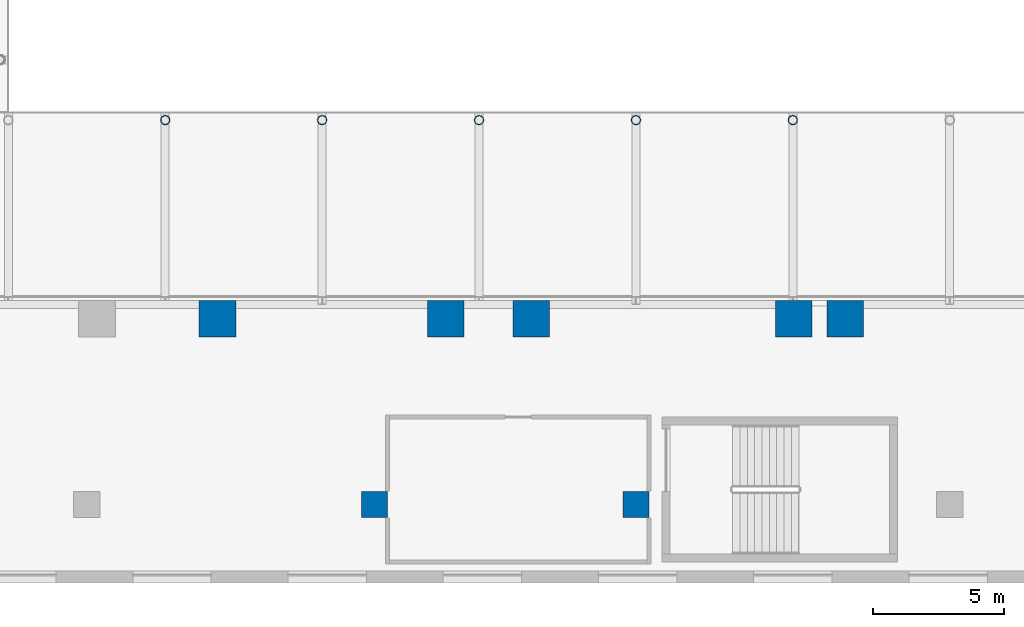
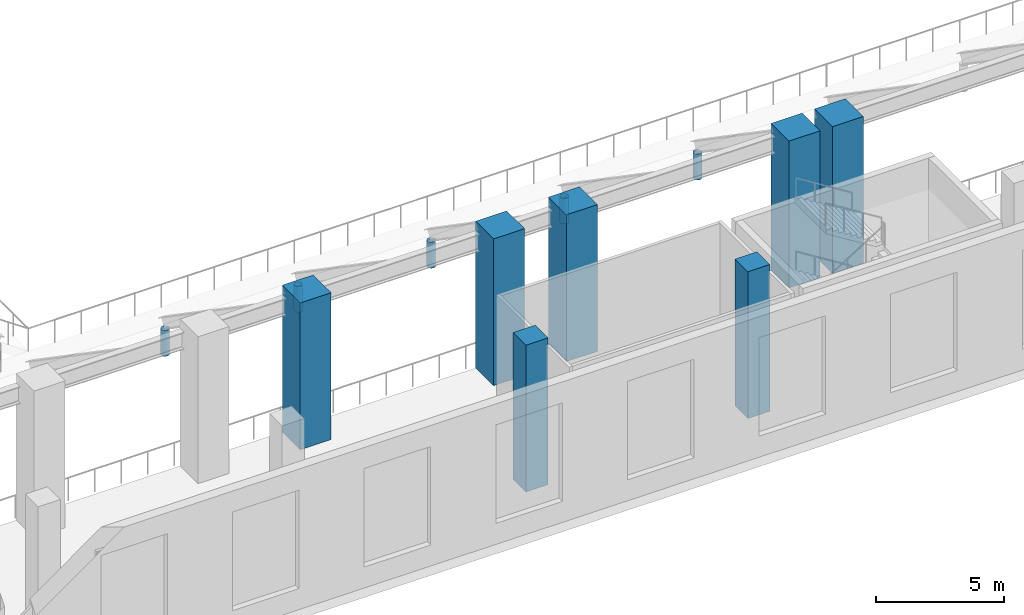
# One storey, part 2 of 41: 12 columns.
"""IFC4 building model written with IfcOpenShell, lengths in metres."""

from ifc_helpers import new_model, si_unit, direction, frame, origin, origin_2d, place, context, subcontext, project, spatial, rectangle, hollow_circle, extrude, material, material_profile, profile_set, type_object, element, save


model = new_model("IFC4")

# Units and contexts
model_context = context("Model", 3, precision=1e-05, world=origin(), true_north=direction((0.0, 1.0)))
body_context = subcontext(model_context, "Body", "Model", "MODEL_VIEW")
ifc_project = project(units=[si_unit("LENGTHUNIT", "METRE"), si_unit("AREAUNIT", "SQUARE_METRE"), si_unit("VOLUMEUNIT", "CUBIC_METRE"), si_unit("PLANEANGLEUNIT", "RADIAN"), si_unit("MASSUNIT", "GRAM", prefix="KILO")], contexts=[model_context])

# Site, building, storey
site_placement = place(None, origin())
site = spatial("IfcSite", under=ifc_project, at=site_placement, CompositionType="ELEMENT")
building_placement = place(site_placement, origin())
building = spatial("IfcBuilding", under=site, at=building_placement, Name="Wharfspan Tower", CompositionType="ELEMENT")
storey_placement = place(building_placement, frame((0.0, 0.0, 8.0)))
storey = spatial("IfcBuildingStorey", under=building, at=storey_placement, Name="L01", CompositionType="ELEMENT", Elevation=8.0)

# Columns
ifc_material_1 = material(Name="Concrete C60/75", Category="concrete")
ifc_material_profile_1 = material_profile(ifc_material_1, rectangle(XDim=1.0, YDim=1.0, at=origin_2d()))
ifc_profile_set_1 = profile_set([ifc_material_profile_1], Name="Concrete C60/75")
column_type_1 = type_object("IfcColumnType", Name="Concrete column 1000 square", PredefinedType="COLUMN", material=ifc_profile_set_1)
for number, where, z_axis, x_axis, name in (
    (1, (40.0, -29.0, 0.0), (0.0, 0.0, 1.0), (1.0, 0.0, 0.0), "Column D.23"),
    (2, (30.0, -29.0, 0.0), (0.0, 0.0, 1.0), (1.0, 0.0, 0.0), "Column D.29"),
):
    element("IfcColumn", number, at=place(storey_placement, frame(where, z_axis=z_axis, x_axis=x_axis)), inside=storey, type_object=column_type_1, Name=name, PredefinedType="COLUMN", context=body_context, shape_type="SweptSolid", body=[
        extrude(rectangle(XDim=1.0, YDim=1.0, at=origin_2d()), origin(), (0.0, 0.0, 1.0), 7.0),
    ])
ifc_material_profile_2 = material_profile(ifc_material_1, rectangle(XDim=1.399902, YDim=1.399902, at=origin_2d()))
ifc_profile_set_2 = profile_set([ifc_material_profile_2], Name="Concrete C60/75")
column_type_2 = type_object("IfcColumnType", Name="Concrete column 1400 square", PredefinedType="COLUMN", material=ifc_profile_set_2)
for number, where, z_axis, x_axis, name in (
    (3, (24.0, -21.899902, 0.0), (0.0, 0.0, 1.0), (1.0, 0.0, 0.0), "Column RS.3"),
    (4, (32.724121, -21.899902, 0.0), (0.0, 0.0, 1.0), (1.0, 0.0, 0.0), "Column RS.4"),
    (5, (36.0, -21.899902, 0.0), (0.0, 0.0, 1.0), (1.0, 0.0, 0.0), "Column RS.5"),
    (6, (46.041992, -21.899902, 0.0), (0.0, 0.0, 1.0), (1.0, 0.0, 0.0), "Column RS.6"),
    (7, (48.0, -21.899902, 0.0), (0.0, 0.0, 1.0), (1.0, 0.0, 0.0), "Column RS.7"),
):
    element("IfcColumn", number, at=place(storey_placement, frame(where, z_axis=z_axis, x_axis=x_axis)), inside=storey, type_object=column_type_2, Name=name, PredefinedType="COLUMN", context=body_context, shape_type="SweptSolid", body=[
        extrude(rectangle(XDim=1.399902, YDim=1.399902, at=origin_2d()), origin(), (0.0, 0.0, 1.0), 7.0),
    ])
ifc_material_2 = material(Name="Steel S460NH", Category="steel")
ifc_material_profile_3 = material_profile(ifc_material_2, hollow_circle(Radius=0.177734, WallThickness=0.016113, at=origin_2d()))
ifc_profile_set_3 = profile_set([ifc_material_profile_3], Name="Steel S460NH")
column_type_3 = type_object("IfcColumnType", Name="Tier column CHS 356x16", PredefinedType="COLUMN", material=ifc_profile_set_3)
for number, where, z_axis, x_axis, name in (
    (8, (22.0, -14.300049, 0.0), (0.0, 0.0, 1.0), (1.0, 0.0, 0.0), "Upper tier column"),
    (9, (28.0, -14.300049, 0.0), (0.0, 0.0, 1.0), (1.0, 0.0, 0.0), "Upper tier column"),
    (10, (34.0, -14.300049, 0.0), (0.0, 0.0, 1.0), (1.0, 0.0, 0.0), "Upper tier column"),
    (11, (40.0, -14.300049, 0.0), (0.0, 0.0, 1.0), (1.0, 0.0, 0.0), "Upper tier column"),
    (12, (46.0, -14.300049, 0.0), (0.0, 0.0, 1.0), (1.0, 0.0, 0.0), "Upper tier column"),
):
    element("IfcColumn", number, at=place(storey_placement, frame(where, z_axis=z_axis, x_axis=x_axis)), inside=storey, type_object=column_type_3, Name=name, PredefinedType="COLUMN", context=body_context, shape_type="SweptSolid", body=[
        extrude(hollow_circle(Radius=0.177734, WallThickness=0.016113, at=origin_2d()), origin(), (0.0, 0.0, 1.0), 1.229248),
    ])

save(model, "model.ifc")
